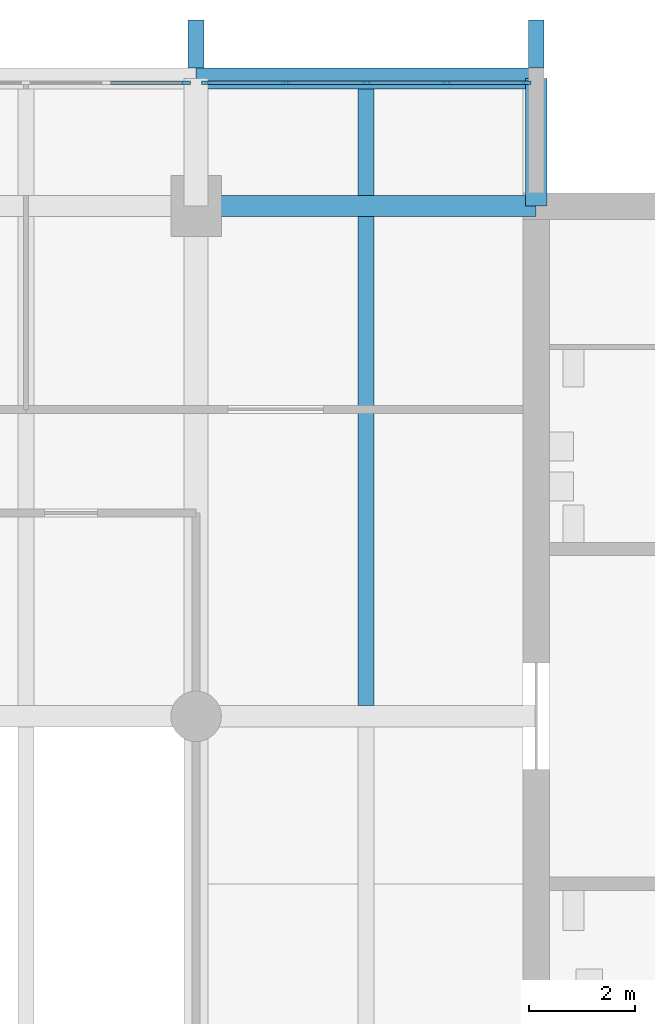
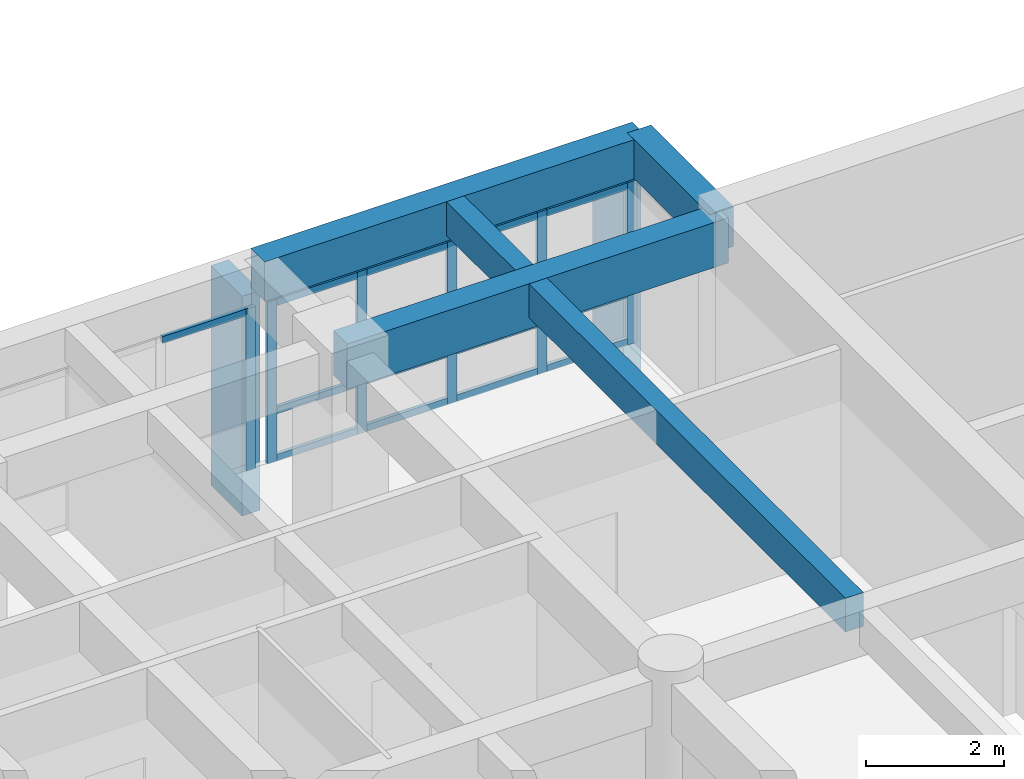
# One storey, part 6 of 15: 21 members, 5 beams, 2 elements without a shape of their own.
"""IFC4 building model written with IfcOpenShell, lengths in metres."""

from ifc_helpers import new_model, si_unit, direction, frame, origin, origin_2d, place, context, subcontext, project, spatial, rectangle, extrude, material, layer, layer_set, material_profile, profile_set, type_object, element, aggregate, save


model = new_model("IFC4")

# Units and contexts
model_context = context("Model", 3, precision=1e-05, world=origin(), true_north=direction((0.0, 1.0)))
body_context = subcontext(model_context, "Body", "Model", "MODEL_VIEW")
ifc_project = project(units=[si_unit("LENGTHUNIT", "METRE"), si_unit("AREAUNIT", "SQUARE_METRE"), si_unit("VOLUMEUNIT", "CUBIC_METRE"), si_unit("PLANEANGLEUNIT", "RADIAN"), si_unit("MASSUNIT", "GRAM", prefix="KILO")], contexts=[model_context])

# Site, building, storey
site_placement = place(None, origin())
site = spatial("IfcSite", under=ifc_project, at=site_placement, CompositionType="ELEMENT")
building_placement = place(site_placement, origin())
building = spatial("IfcBuilding", under=site, at=building_placement, Name="Fogon Plaza Fire Station and Headquarters Tower", CompositionType="ELEMENT")
storey_placement = place(building_placement, frame((0.0, 0.0, 36.60009765625)))
storey = spatial("IfcBuildingStorey", under=building, at=storey_placement, Name="L09", CompositionType="ELEMENT", Elevation=36.60009765625)

# Beams
ifc_material_1 = material(Name="Concrete C40", Category="concrete")
ifc_material_profile_1 = material_profile(ifc_material_1, rectangle(XDim=0.39990234375, YDim=0.699951171875, at=origin_2d()), Name="RC 400x700")
ifc_profile_set_1 = profile_set([ifc_material_profile_1], Name="Concrete C40")
beam_type_1 = type_object("IfcBeamType", Name="BEAM RC 400x700", PredefinedType="BEAM", material=ifc_profile_set_1)
beam_1_placement = place(storey_placement, frame((57.60009765625, 55.199951171875, 3.329833984375), z_axis=(1.0, 0.0, 0.0), x_axis=(0.0, 1.0, 0.0)))
element("IfcBeam", 1, at=beam_1_placement, inside=storey, type_object=beam_type_1, Name="beam-L09-050", PredefinedType="BEAM", context=body_context, shape_type="SweptSolid", body=[
    extrude(rectangle(XDim=0.39990234375, YDim=0.699951171875, at=origin_2d()), origin(), (0.0, 0.0, 1.0), 6.39990234375),
])
ifc_material_2 = material(Name="Concrete C40", Category="concrete")
ifc_material_profile_2 = material_profile(ifc_material_2, rectangle(XDim=0.39990234375, YDim=0.699951171875, at=origin_2d()), Name="RC 400x700")
ifc_profile_set_2 = profile_set([ifc_material_profile_2], Name="Concrete C40")
beam_type_2 = type_object("IfcBeamType", Name="BEAM RC 400x700 SPAN 0.0 TO 3.0 M", PredefinedType="BEAM", material=ifc_profile_set_2)
beam_2_placement = place(storey_placement, frame((64.0, 52.800048828125, 3.329833984375), z_axis=(0.0, 1.0, 0.0), x_axis=(-1.0, 0.0, 0.0)))
element("IfcBeam", 2, at=beam_2_placement, inside=storey, type_object=beam_type_2, Name="beam-L09-054", PredefinedType="BEAM", context=body_context, shape_type="SweptSolid", body=[
    extrude(rectangle(XDim=0.39990234375, YDim=0.699951171875, at=origin_2d()), origin(), (0.0, 0.0, 1.0), 2.39990234375),
])
ifc_material_3 = material(Name="Concrete C40", Category="concrete")
ifc_material_profile_3 = material_profile(ifc_material_3, rectangle(XDim=0.39990234375, YDim=0.800048828125, at=origin_2d()), Name="RC 400x800")
ifc_profile_set_3 = profile_set([ifc_material_profile_3], Name="Concrete C40")
beam_type_3 = type_object("IfcBeamType", Name="BEAM RC 400x800", PredefinedType="BEAM", material=ifc_profile_set_3)
beam_3_placement = place(storey_placement, frame((57.60009765625, 52.800048828125, 3.27978515625), z_axis=(1.0, 0.0, 0.0), x_axis=(0.0, 1.0, 0.0)))
element("IfcBeam", 3, at=beam_3_placement, inside=storey, type_object=beam_type_3, Name="beam-L09-038", PredefinedType="BEAM", context=body_context, shape_type="SweptSolid", body=[
    extrude(rectangle(XDim=0.39990234375, YDim=0.800048828125, at=origin_2d()), origin(), (0.0, 0.0, 1.0), 6.39990234375),
])

# Curtain wall, member
ifc_material_4 = material(Name="Aluminium and glass", Category="aluminium")
ifc_layer = layer(ifc_material_4, 0.14990234375)
ifc_layer_set = layer_set([ifc_layer], Name="Aluminium and glass")
curtain_wall_type = type_object("IfcCurtainWallType", Name="Unitised Curtain Wall Run 6100x2880", PredefinedType="NOTDEFINED", material=ifc_layer_set)
curtain_wall_1_placement = place(storey_placement, origin())
curtain_wall_1 = element("IfcCurtainWall", 4, at=curtain_wall_1_placement, inside=storey, type_object=curtain_wall_type, Name="CW-6100x2880 N5 L09", PredefinedType="NOTDEFINED")
ifc_material_5 = material(Name="Aluminium", Category="aluminium")
ifc_material_profile_4 = material_profile(ifc_material_5, rectangle(XDim=0.06005859375, YDim=0.159912109375, at=origin_2d()), Name="Curtain Wall Mullion 60x160")
ifc_profile_set_4 = profile_set([ifc_material_profile_4], Name="Aluminium")
member_type_1 = type_object("IfcMemberType", Name="Curtain Wall Mullion 60x160", PredefinedType="MULLION", material=ifc_profile_set_4)
member_1_placement = place(storey_placement, frame((57.419921875, 55.1201171875, 0.0), z_axis=(0.0, 0.0, 1.0), x_axis=(0.0, 1.0, 0.0)))
member_1 = element("IfcMember", 5, at=member_1_placement, type_object=member_type_1, Name="CW-6100x2880 mullion 5", PredefinedType="MULLION", context=body_context, shape_type="SweptSolid", body=[
    extrude(rectangle(XDim=0.06005859375, YDim=0.159912109375, at=origin_2d()), origin(), (0.0, 0.0, 1.0), 2.8798828125),
])

# Curtain wall, members
curtain_wall_2_placement = place(storey_placement, origin())
curtain_wall_2 = element("IfcCurtainWall", 6, at=curtain_wall_2_placement, inside=storey, type_object=curtain_wall_type, Name="CW-6100x2880 N6 L09", PredefinedType="NOTDEFINED")
member_2_placement = place(storey_placement, frame((57.780029296875, 55.1201171875, 0.0), z_axis=(0.0, 0.0, 1.0), x_axis=(0.0, 1.0, 0.0)))
member_2 = element("IfcMember", 7, at=member_2_placement, type_object=member_type_1, Name="CW-6100x2880 mullion 1", PredefinedType="MULLION", context=body_context, shape_type="SweptSolid", body=[
    extrude(rectangle(XDim=0.06005859375, YDim=0.159912109375, at=origin_2d()), origin(), (0.0, 0.0, 1.0), 2.8798828125),
])
member_3_placement = place(storey_placement, frame((59.2900390625, 55.1201171875, 0.0), z_axis=(0.0, 0.0, 1.0), x_axis=(0.0, 1.0, 0.0)))
member_3 = element("IfcMember", 8, at=member_3_placement, type_object=member_type_1, Name="CW-6100x2880 mullion 2", PredefinedType="MULLION", context=body_context, shape_type="SweptSolid", body=[
    extrude(rectangle(XDim=0.06005859375, YDim=0.159912109375, at=origin_2d()), origin(), (0.0, 0.0, 1.0), 2.8798828125),
])
member_4_placement = place(storey_placement, frame((60.800048828125, 55.1201171875, 0.0), z_axis=(0.0, 0.0, 1.0), x_axis=(0.0, 1.0, 0.0)))
member_4 = element("IfcMember", 9, at=member_4_placement, type_object=member_type_1, Name="CW-6100x2880 mullion 3", PredefinedType="MULLION", context=body_context, shape_type="SweptSolid", body=[
    extrude(rectangle(XDim=0.06005859375, YDim=0.159912109375, at=origin_2d()), origin(), (0.0, 0.0, 1.0), 2.8798828125),
])
member_5_placement = place(storey_placement, frame((62.31005859375, 55.1201171875, 0.0), z_axis=(0.0, 0.0, 1.0), x_axis=(0.0, 1.0, 0.0)))
member_5 = element("IfcMember", 10, at=member_5_placement, type_object=member_type_1, Name="CW-6100x2880 mullion 4", PredefinedType="MULLION", context=body_context, shape_type="SweptSolid", body=[
    extrude(rectangle(XDim=0.06005859375, YDim=0.159912109375, at=origin_2d()), origin(), (0.0, 0.0, 1.0), 2.8798828125),
])
member_6_placement = place(storey_placement, frame((63.820068359375, 55.1201171875, 0.0), z_axis=(0.0, 0.0, 1.0), x_axis=(0.0, 1.0, 0.0)))
member_6 = element("IfcMember", 11, at=member_6_placement, type_object=member_type_1, Name="CW-6100x2880 mullion 5", PredefinedType="MULLION", context=body_context, shape_type="SweptSolid", body=[
    extrude(rectangle(XDim=0.06005859375, YDim=0.159912109375, at=origin_2d()), origin(), (0.0, 0.0, 1.0), 2.8798828125),
])

# Member
ifc_material_6 = material(Name="Aluminium", Category="aluminium")
ifc_material_profile_5 = material_profile(ifc_material_6, rectangle(XDim=0.06005859375, YDim=0.1201171875, at=origin_2d()), Name="Curtain Wall Transom 60x120")
ifc_profile_set_5 = profile_set([ifc_material_profile_5], Name="Aluminium")
member_type_2 = type_object("IfcMemberType", Name="Curtain Wall Transom 60x120", PredefinedType="USERDEFINED", material=ifc_profile_set_5)
member_7_placement = place(storey_placement, frame((55.93994140625, 55.1201171875, 2.81982421875), z_axis=(1.0, 0.0, 0.0), x_axis=(0.0, 1.0, 0.0)))
member_7 = element("IfcMember", 12, at=member_7_placement, type_object=member_type_2, Name="CW-6100x2880 transom 4.3", ObjectType="TRANSOM", PredefinedType="USERDEFINED", context=body_context, shape_type="SweptSolid", body=[
    extrude(rectangle(XDim=0.06005859375, YDim=0.1201171875, at=origin_2d()), origin(), (0.0, 0.0, 1.0), 1.449951171875),
])

aggregate(curtain_wall_1, [member_1, member_7])

member_8_placement = place(storey_placement, frame((57.81005859375, 55.1201171875, 0.059814453125), z_axis=(1.0, 0.0, 0.0), x_axis=(0.0, 1.0, 0.0)))
member_8 = element("IfcMember", 13, at=member_8_placement, type_object=member_type_2, Name="CW-6100x2880 transom 1.1", ObjectType="TRANSOM", PredefinedType="USERDEFINED", context=body_context, shape_type="SweptSolid", body=[
    extrude(rectangle(XDim=0.06005859375, YDim=0.1201171875, at=origin_2d()), origin(), (0.0, 0.0, 1.0), 1.449951171875),
])

member_9_placement = place(storey_placement, frame((57.81005859375, 55.1201171875, 0.89990234375), z_axis=(1.0, 0.0, 0.0), x_axis=(0.0, 1.0, 0.0)))
member_9 = element("IfcMember", 14, at=member_9_placement, type_object=member_type_2, Name="CW-6100x2880 transom 1.2", ObjectType="TRANSOM", PredefinedType="USERDEFINED", context=body_context, shape_type="SweptSolid", body=[
    extrude(rectangle(XDim=0.06005859375, YDim=0.1201171875, at=origin_2d()), origin(), (0.0, 0.0, 1.0), 1.449951171875),
])

member_10_placement = place(storey_placement, frame((57.81005859375, 55.1201171875, 2.81982421875), z_axis=(1.0, 0.0, 0.0), x_axis=(0.0, 1.0, 0.0)))
member_10 = element("IfcMember", 15, at=member_10_placement, type_object=member_type_2, Name="CW-6100x2880 transom 1.3", ObjectType="TRANSOM", PredefinedType="USERDEFINED", context=body_context, shape_type="SweptSolid", body=[
    extrude(rectangle(XDim=0.06005859375, YDim=0.1201171875, at=origin_2d()), origin(), (0.0, 0.0, 1.0), 1.449951171875),
])

member_11_placement = place(storey_placement, frame((59.320068359375, 55.1201171875, 0.059814453125), z_axis=(1.0, 0.0, 0.0), x_axis=(0.0, 1.0, 0.0)))
member_11 = element("IfcMember", 16, at=member_11_placement, type_object=member_type_2, Name="CW-6100x2880 transom 2.1", ObjectType="TRANSOM", PredefinedType="USERDEFINED", context=body_context, shape_type="SweptSolid", body=[
    extrude(rectangle(XDim=0.06005859375, YDim=0.1201171875, at=origin_2d()), origin(), (0.0, 0.0, 1.0), 1.449951171875),
])

member_12_placement = place(storey_placement, frame((59.320068359375, 55.1201171875, 0.89990234375), z_axis=(1.0, 0.0, 0.0), x_axis=(0.0, 1.0, 0.0)))
member_12 = element("IfcMember", 17, at=member_12_placement, type_object=member_type_2, Name="CW-6100x2880 transom 2.2", ObjectType="TRANSOM", PredefinedType="USERDEFINED", context=body_context, shape_type="SweptSolid", body=[
    extrude(rectangle(XDim=0.06005859375, YDim=0.1201171875, at=origin_2d()), origin(), (0.0, 0.0, 1.0), 1.449951171875),
])

member_13_placement = place(storey_placement, frame((59.320068359375, 55.1201171875, 2.81982421875), z_axis=(1.0, 0.0, 0.0), x_axis=(0.0, 1.0, 0.0)))
member_13 = element("IfcMember", 18, at=member_13_placement, type_object=member_type_2, Name="CW-6100x2880 transom 2.3", ObjectType="TRANSOM", PredefinedType="USERDEFINED", context=body_context, shape_type="SweptSolid", body=[
    extrude(rectangle(XDim=0.06005859375, YDim=0.1201171875, at=origin_2d()), origin(), (0.0, 0.0, 1.0), 1.449951171875),
])

member_14_placement = place(storey_placement, frame((60.830078125, 55.1201171875, 0.059814453125), z_axis=(1.0, 0.0, 0.0), x_axis=(0.0, 1.0, 0.0)))
member_14 = element("IfcMember", 19, at=member_14_placement, type_object=member_type_2, Name="CW-6100x2880 transom 3.1", ObjectType="TRANSOM", PredefinedType="USERDEFINED", context=body_context, shape_type="SweptSolid", body=[
    extrude(rectangle(XDim=0.06005859375, YDim=0.1201171875, at=origin_2d()), origin(), (0.0, 0.0, 1.0), 1.449951171875),
])

member_15_placement = place(storey_placement, frame((60.830078125, 55.1201171875, 0.89990234375), z_axis=(1.0, 0.0, 0.0), x_axis=(0.0, 1.0, 0.0)))
member_15 = element("IfcMember", 20, at=member_15_placement, type_object=member_type_2, Name="CW-6100x2880 transom 3.2", ObjectType="TRANSOM", PredefinedType="USERDEFINED", context=body_context, shape_type="SweptSolid", body=[
    extrude(rectangle(XDim=0.06005859375, YDim=0.1201171875, at=origin_2d()), origin(), (0.0, 0.0, 1.0), 1.449951171875),
])

member_16_placement = place(storey_placement, frame((60.830078125, 55.1201171875, 2.81982421875), z_axis=(1.0, 0.0, 0.0), x_axis=(0.0, 1.0, 0.0)))
member_16 = element("IfcMember", 21, at=member_16_placement, type_object=member_type_2, Name="CW-6100x2880 transom 3.3", ObjectType="TRANSOM", PredefinedType="USERDEFINED", context=body_context, shape_type="SweptSolid", body=[
    extrude(rectangle(XDim=0.06005859375, YDim=0.1201171875, at=origin_2d()), origin(), (0.0, 0.0, 1.0), 1.449951171875),
])

member_17_placement = place(storey_placement, frame((62.340087890625, 55.1201171875, 0.059814453125), z_axis=(1.0, 0.0, 0.0), x_axis=(0.0, 1.0, 0.0)))
member_17 = element("IfcMember", 22, at=member_17_placement, type_object=member_type_2, Name="CW-6100x2880 transom 4.1", ObjectType="TRANSOM", PredefinedType="USERDEFINED", context=body_context, shape_type="SweptSolid", body=[
    extrude(rectangle(XDim=0.06005859375, YDim=0.1201171875, at=origin_2d()), origin(), (0.0, 0.0, 1.0), 1.449951171875),
])

member_18_placement = place(storey_placement, frame((62.340087890625, 55.1201171875, 0.89990234375), z_axis=(1.0, 0.0, 0.0), x_axis=(0.0, 1.0, 0.0)))
member_18 = element("IfcMember", 23, at=member_18_placement, type_object=member_type_2, Name="CW-6100x2880 transom 4.2", ObjectType="TRANSOM", PredefinedType="USERDEFINED", context=body_context, shape_type="SweptSolid", body=[
    extrude(rectangle(XDim=0.06005859375, YDim=0.1201171875, at=origin_2d()), origin(), (0.0, 0.0, 1.0), 1.449951171875),
])

member_19_placement = place(storey_placement, frame((62.340087890625, 55.1201171875, 2.81982421875), z_axis=(1.0, 0.0, 0.0), x_axis=(0.0, 1.0, 0.0)))
member_19 = element("IfcMember", 24, at=member_19_placement, type_object=member_type_2, Name="CW-6100x2880 transom 4.3", ObjectType="TRANSOM", PredefinedType="USERDEFINED", context=body_context, shape_type="SweptSolid", body=[
    extrude(rectangle(XDim=0.06005859375, YDim=0.1201171875, at=origin_2d()), origin(), (0.0, 0.0, 1.0), 1.449951171875),
])

aggregate(curtain_wall_2, [member_2, member_3, member_4, member_5, member_6, member_8, member_9, member_10, member_11, member_12, member_13, member_14, member_15, member_16, member_17, member_18, member_19])

# Beams
ifc_material_7 = material(Name="Concrete C40", Category="concrete")
ifc_material_profile_6 = material_profile(ifc_material_7, rectangle(XDim=0.300048828125, YDim=0.60009765625, at=origin_2d()), Name="RC 300x600")
ifc_profile_set_6 = profile_set([ifc_material_profile_6], Name="Concrete C40")
beam_type_4 = type_object("IfcBeamType", Name="JOIST RC 300x600", PredefinedType="JOIST", material=ifc_profile_set_6)
beam_4_placement = place(storey_placement, frame((60.800048828125, 43.39990234375, 3.3798828125), z_axis=(0.0, 1.0, 0.0), x_axis=(-1.0, 0.0, 0.0)))
element("IfcBeam", 25, at=beam_4_placement, inside=storey, type_object=beam_type_4, Name="beam-L09-077", PredefinedType="JOIST", context=body_context, shape_type="SweptSolid", body=[
    extrude(rectangle(XDim=0.300048828125, YDim=0.60009765625, at=origin_2d()), origin(), (0.0, 0.0, 1.0), 9.2001953125),
])
ifc_material_8 = material(Name="Concrete C40", Category="concrete")
ifc_material_profile_7 = material_profile(ifc_material_8, rectangle(XDim=0.300048828125, YDim=0.60009765625, at=origin_2d()), Name="RC 300x600")
ifc_profile_set_7 = profile_set([ifc_material_profile_7], Name="Concrete C40")
beam_type_5 = type_object("IfcBeamType", Name="JOIST RC 300x600 SPAN 0.0 TO 3.0 M", PredefinedType="JOIST", material=ifc_profile_set_7)
beam_5_placement = place(storey_placement, frame((60.800048828125, 53.0, 3.3798828125), z_axis=(0.0, 1.0, 0.0), x_axis=(-1.0, 0.0, 0.0)))
element("IfcBeam", 26, at=beam_5_placement, inside=storey, type_object=beam_type_5, Name="beam-L09-078", PredefinedType="JOIST", context=body_context, shape_type="SweptSolid", body=[
    extrude(rectangle(XDim=0.300048828125, YDim=0.60009765625, at=origin_2d()), origin(), (0.0, 0.0, 1.0), 2.0),
])

# Members
ifc_material_9 = material(Name="Concrete C40 precast", Category="concrete")
ifc_material_profile_8 = material_profile(ifc_material_9, rectangle(XDim=0.300048828125, YDim=0.89990234375, at=origin_2d()), Name="Precast Concrete Post 300x900")
ifc_profile_set_8 = profile_set([ifc_material_profile_8], Name="Concrete C40 precast")
member_type_3 = type_object("IfcMemberType", Name="Precast Concrete Post 300x900", PredefinedType="POST", material=ifc_profile_set_8)
for number, where, z_axis, x_axis, name in (
    (27, (57.60009765625, 55.85009765625, -1.02001953125), (0.0, 0.0, 1.0), (1.0, 0.0, 0.0), "Precast Post N L09"),
    (28, (64.0, 55.85009765625, -1.02001953125), (0.0, 0.0, 1.0), (1.0, 0.0, 0.0), "Precast Post N L09"),
):
    element("IfcMember", number, at=place(storey_placement, frame(where, z_axis=z_axis, x_axis=x_axis)), inside=storey, type_object=member_type_3, Name=name, PredefinedType="POST", context=body_context, shape_type="SweptSolid", body=[
        extrude(rectangle(XDim=0.300048828125, YDim=0.89990234375, at=origin_2d()), origin(), (0.0, 0.0, 1.0), 3.89990234375),
    ])

save(model, "model.ifc")
